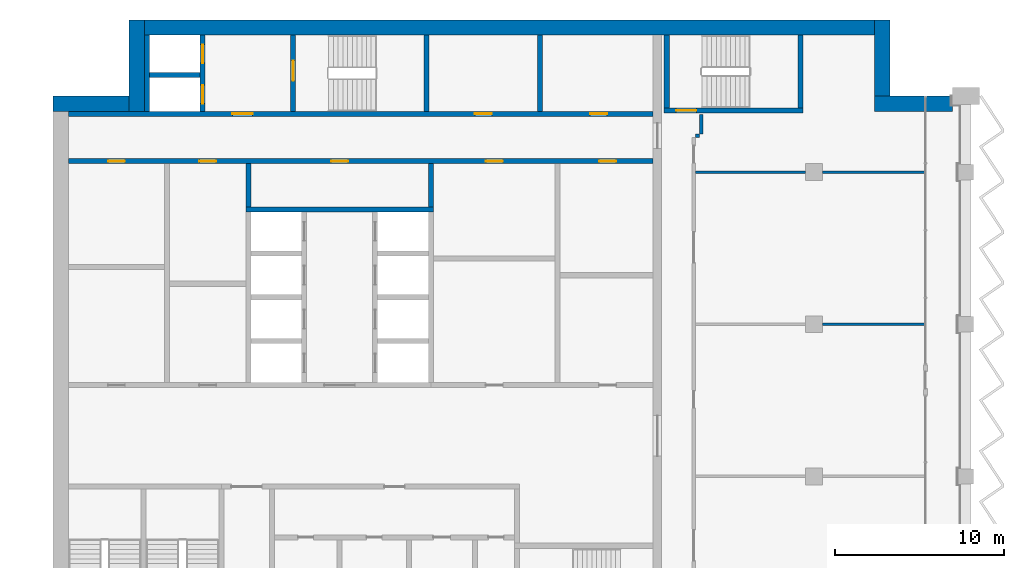
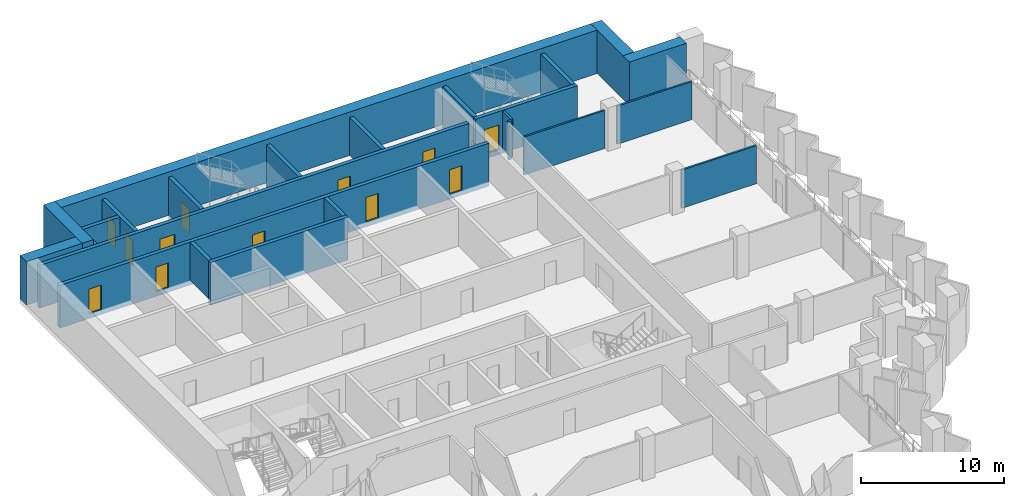
# One storey, part 11 of 17: 24 walls, 12 doors, 12 openings.
"""IFC4 building model written with IfcOpenShell, lengths in metres."""

import ifcopenshell
import ifcopenshell.guid

model = None  # the IFC model being written
_history = None  # IfcOwnerHistory: only IFC2X3 demands one
_inside = {}  # id of a spatial element -> (the spatial element, [elements in it])
_under = {}  # id of a project, library or spatial element -> (it, [spatial elements below it])
_declared = {}  # id of a project -> (the project, [libraries it declares])
_typed = {}  # id of a type object -> (the type object, [elements of that type])
_made_of = {}  # id of a material, layer set ... -> (it, [elements and type objects made of it])


def new_model(schema):
    """Start an empty IFC model of exactly this schema.

    Asked for "IFC4X3", IfcOpenShell would pick the latest addendum, in which some entities
    have other attributes; the version numbers below select the first issue.
    IFC2X3 requires an IfcOwnerHistory on every rooted entity: one is made here for all.
    """
    global model, _history
    if schema == "IFC4X3":
        model = ifcopenshell.file(schema_version=(4, 3, 0, 0))
    else:
        model = ifcopenshell.file(schema=schema)
    _inside.clear()
    _under.clear()
    _declared.clear()
    _typed.clear()
    _made_of.clear()
    _history = None
    if model.schema == "IFC2X3":
        org = make("IfcOrganization", Name="unknown")
        user = make(
            "IfcPersonAndOrganization",
            ThePerson=make("IfcPerson", FamilyName="unknown"),
            TheOrganization=org,
        )
        app = make(
            "IfcApplication",
            ApplicationDeveloper=org,
            Version="unknown",
            ApplicationFullName="unknown",
            ApplicationIdentifier="unknown",
        )
        _history = make(
            "IfcOwnerHistory",
            OwningUser=user,
            OwningApplication=app,
            ChangeAction="ADDED",
            CreationDate=0,
        )
    return model


def make(cls, **values):
    """One entity of the class cls with the attributes given. An attribute that is None is left unset."""
    return model.create_entity(
        cls, **{name: value for name, value in values.items() if value is not None}
    )


def rooted(cls, **values):
    """An entity with a GlobalId (a new one), such as an element, a storey or a relation."""
    return make(cls, GlobalId=ifcopenshell.guid.new(), OwnerHistory=_history, **values)


def si_unit(unit_type, name, prefix=None):
    """IfcSIUnit, for example si_unit("LENGTHUNIT", "METRE", prefix="MILLI")."""
    return make("IfcSIUnit", UnitType=unit_type, Prefix=prefix, Name=name)


def assignment(units):
    """IfcUnitAssignment: the units of a project."""
    return None if units is None else make("IfcUnitAssignment", Units=units)


def point(xyz):
    """IfcCartesianPoint."""
    return None if xyz is None else make("IfcCartesianPoint", Coordinates=xyz)


def direction(xyz):
    """IfcDirection."""
    return None if xyz is None else make("IfcDirection", DirectionRatios=xyz)


def frame(location, z_axis=None, x_axis=None):
    """IfcAxis2Placement3D, a coordinate frame: its origin and axes. An axis left out is left unset."""
    return make(
        "IfcAxis2Placement3D",
        Location=point(location),
        Axis=direction(z_axis),
        RefDirection=direction(x_axis),
    )


def frame_2d(location, x_axis=None):
    """IfcAxis2Placement2D, a coordinate frame in the plane: its origin and x axis."""
    return make(
        "IfcAxis2Placement2D", Location=point(location), RefDirection=direction(x_axis)
    )


def origin():
    """The frame at (0, 0, 0) with its axes left unset."""
    return frame((0.0, 0.0, 0.0))


def place(relative_to, where):
    """IfcLocalPlacement: puts the frame where relative to a parent placement (None: the world)."""
    return make(
        "IfcLocalPlacement", PlacementRelTo=relative_to, RelativePlacement=where
    )


def context(
    kind, dimensions, precision=None, world=None, true_north=None, identifier=None
):
    """IfcGeometricRepresentationContext, for example the 3D "Model" context."""
    return make(
        "IfcGeometricRepresentationContext",
        ContextIdentifier=identifier,
        ContextType=kind,
        CoordinateSpaceDimension=dimensions,
        Precision=precision,
        WorldCoordinateSystem=world,
        TrueNorth=true_north,
    )


def subcontext(parent, identifier, kind, view, scale=None):
    """IfcGeometricRepresentationSubContext, for example "Body" below "Model"."""
    return make(
        "IfcGeometricRepresentationSubContext",
        ContextIdentifier=identifier,
        ContextType=kind,
        ParentContext=parent,
        TargetScale=scale,
        TargetView=view,
    )


def project(units=None, contexts=None):
    """IfcProject with its units and contexts."""
    return rooted(
        "IfcProject",
        Name="project",
        RepresentationContexts=contexts,
        UnitsInContext=assignment(units),
    )


def spatial(cls, under=None, at=None, **own):
    """A site, building, storey or space (cls), placed at a placement, below another one or the project."""
    s = rooted(cls, ObjectPlacement=at, **own)
    if under is not None:
        _under.setdefault(under.id(), (under, []))[1].append(s)
    return s


def profile(cls, at=None, kind="AREA", **sizes):
    """A parametric profile (cls). Its sizes go by their IFC names, for example OverallWidth=200.0."""
    return make(cls, ProfileType=kind, Position=at, **sizes)


def rectangle(**sizes):
    """IfcRectangleProfileDef."""
    return profile("IfcRectangleProfileDef", **sizes)


def extrude(swept, where, along, depth):
    """IfcExtrudedAreaSolid: the profile swept, set in the frame where, extruded along a direction by depth."""
    return make(
        "IfcExtrudedAreaSolid",
        SweptArea=swept,
        Position=where,
        ExtrudedDirection=direction(along),
        Depth=depth,
    )


def shape(context_of_items, identifier, shape_type, items):
    """IfcShapeRepresentation: the items that make up one representation, for example the "Body"."""
    return make(
        "IfcShapeRepresentation",
        ContextOfItems=context_of_items,
        RepresentationIdentifier=identifier,
        RepresentationType=shape_type,
        Items=items,
    )


def material(Name=None, Category=None):
    """IfcMaterial."""
    return make("IfcMaterial", Name=Name, Category=Category)


def layer(
    of_material, thickness, ventilated=None, Name=None, Category=None, Priority=None
):
    """IfcMaterialLayer: one layer of a wall or slab, of a material (None: an air gap)."""
    return make(
        "IfcMaterialLayer",
        Material=of_material,
        LayerThickness=thickness,
        IsVentilated=ventilated,
        Name=Name,
        Category=Category,
        Priority=Priority,
    )


def layer_set(layers, Name=None):
    """IfcMaterialLayerSet."""
    return make("IfcMaterialLayerSet", MaterialLayers=layers, LayerSetName=Name)


def made_of(thing, what):
    """Note that an element or type object is made of a material, layer set ...; save() writes the relation."""
    if what is not None:
        _made_of.setdefault(what.id(), (what, []))[1].append(thing)
    return thing


def type_object(cls, material=None, **own):
    """A type object (cls), such as IfcWallType, which elements share."""
    return made_of(rooted(cls, **own), material)


def element(
    cls,
    number,
    at=None,
    inside=None,
    cuts=None,
    type_object=None,
    material=None,
    context=None,
    identifier="Body",
    shape_type=None,
    held_by="IfcProductDefinitionShape",
    body=None,
    shapes=None,
    **own,
):
    """One element of the class cls, such as IfcWall. Its Tag is "e" and its number.

    at: its placement. inside: the storey or other place that contains it. cuts: it is an
    opening in that element (IfcRelVoidsElement). A single representation is given by context,
    identifier, shape_type and body (its items); several are given by shapes. held_by: the class
    of the entity that holds the representations. save() writes the other relations.
    """
    e = rooted(cls, Tag="e%d" % number, ObjectPlacement=at, **own)
    if body is not None:
        shapes = [shape(context, identifier, shape_type, body)]
    if shapes is not None:
        e.Representation = make(held_by, Representations=shapes)
    if inside is not None:
        _inside.setdefault(inside.id(), (inside, []))[1].append(e)
    if cuts is not None:
        rooted(
            "IfcRelVoidsElement", RelatingBuildingElement=cuts, RelatedOpeningElement=e
        )
    if type_object is not None:
        _typed.setdefault(type_object.id(), (type_object, []))[1].append(e)
    return made_of(e, material)


def fill(opening, filler):
    """IfcRelFillsElement: the door or window that sits in an opening."""
    return rooted(
        "IfcRelFillsElement",
        RelatingOpeningElement=opening,
        RelatedBuildingElement=filler,
    )


def aggregate(whole, parts):
    """IfcRelAggregates: a whole, such as a stair, and the parts it consists of."""
    return rooted("IfcRelAggregates", RelatingObject=whole, RelatedObjects=parts)


def save(model, path):
    """Write the relations noted so far, then the file.

    IfcRelAggregates (storeys below a building ...), IfcRelContainedInSpatialStructure (elements
    in a storey), IfcRelDefinesByType, IfcRelAssociatesMaterial and IfcRelDeclares: one each for
    every whole, place, type object, material and project.
    """
    for whole, parts in _under.values():
        aggregate(whole, parts)
    for where, things in _inside.values():
        rooted(
            "IfcRelContainedInSpatialStructure",
            RelatedElements=things,
            RelatingStructure=where,
        )
    for kind, things in _typed.values():
        rooted("IfcRelDefinesByType", RelatedObjects=things, RelatingType=kind)
    for what, things in _made_of.values():
        rooted("IfcRelAssociatesMaterial", RelatedObjects=things, RelatingMaterial=what)
    for by, libraries in _declared.values():
        rooted("IfcRelDeclares", RelatingContext=by, RelatedDefinitions=libraries)
    model.write(path)


model = new_model("IFC4")

# Units and contexts
model_context = context("Model", 3, precision=1e-05, world=origin(), true_north=direction((0.0, 1.0)))
body_context = subcontext(model_context, "Body", "Model", "MODEL_VIEW")
ifc_project = project(units=[si_unit("LENGTHUNIT", "METRE"), si_unit("AREAUNIT", "SQUARE_METRE"), si_unit("VOLUMEUNIT", "CUBIC_METRE"), si_unit("PLANEANGLEUNIT", "RADIAN"), si_unit("MASSUNIT", "GRAM", prefix="KILO")], contexts=[model_context])

# Site, building, storey
site_placement = place(None, origin())
site = spatial("IfcSite", under=ifc_project, at=site_placement, CompositionType="ELEMENT")
building_placement = place(site_placement, origin())
building = spatial("IfcBuilding", under=site, at=building_placement, Name="Hunhe Ridgeline Campus", CompositionType="ELEMENT")
storey_placement = place(building_placement, frame((0.0, 0.0, 272.5)))
storey = spatial("IfcBuildingStorey", under=building, at=storey_placement, Name="L70", CompositionType="ELEMENT", Elevation=272.5)

# Walls
ifc_material_1 = material(Name="Masonry concrete blockwork", Category="masonry")
ifc_layer_1 = layer(ifc_material_1, 0.300048828125)
ifc_layer_set_1 = layer_set([ifc_layer_1], Name="Core room partition 300 concrete block")
wall_type_1 = type_object("IfcWallType", Name="Core room partition 300 concrete block", PredefinedType="PARTITIONING", material=ifc_layer_set_1)
for number, where, z_axis, x_axis, name in (
    (1, (11.550048828125, 87.949951171875, 0.0), (0.0, 0.0, 1.0), (0.0, 1.0, 0.0), "L70 core partition 34"),
    (2, (22.35009765625, 87.949951171875, 0.0), (0.0, 0.0, 1.0), (0.0, 1.0, 0.0), "L70 core partition 44"),
):
    element("IfcWall", number, at=place(storey_placement, frame(where, z_axis=z_axis, x_axis=x_axis)), inside=storey, type_object=wall_type_1, Name=name, PredefinedType="PARTITIONING", context=body_context, shape_type="SweptSolid", body=[
        extrude(rectangle(XDim=2.550048828125, YDim=0.300048828125, at=frame_2d((1.27490234375, 0.0))), origin(), (0.0, 0.0, 1.0), 3.25),
    ])
wall_1_placement = place(storey_placement, frame((28.800048828125, 93.60009765625, 0.0), z_axis=(0.0, 0.0, 1.0), x_axis=(0.0, 1.0, 0.0)))
element("IfcWall", 3, at=wall_1_placement, inside=storey, type_object=wall_type_1, Name="L70 core partition 49", PredefinedType="PARTITIONING", context=body_context, shape_type="SweptSolid", body=[
    extrude(rectangle(XDim=4.5, YDim=0.300048828125, at=frame_2d((2.25, 0.0))), origin(), (0.0, 0.0, 1.0), 3.25),
])
ifc_material_2 = material(Name="Gypsum board partition")
ifc_layer_2 = layer(ifc_material_2, 0.199951171875)
ifc_layer_set_2 = layer_set([ifc_layer_2], Name="Corridor partition 200 gypsum board on steel studs")
wall_type_2 = type_object("IfcWallType", Name="Corridor partition 200 gypsum board on steel studs", PredefinedType="PARTITIONING", material=ifc_layer_set_2)
wall_2_placement = place(storey_placement, frame((38.25, 92.14990234375, 0.0), z_axis=(0.0, 0.0, 1.0), x_axis=(-1.0, 0.0, 0.0)))
element("IfcWall", 4, at=wall_2_placement, inside=storey, type_object=wall_type_2, Name="F-L70-wall-036", PredefinedType="PARTITIONING", context=body_context, shape_type="SweptSolid", body=[
    extrude(rectangle(XDim=0.25, YDim=0.199951171875, at=frame_2d((0.125, 0.0))), origin(), (0.0, 0.0, 1.0), 3.25),
])
wall_3_placement = place(storey_placement, frame((38.35009765625, 93.39599609375, 0.0), z_axis=(0.0, 0.0, 1.0), x_axis=(0.0, -1.0, 0.0)))
element("IfcWall", 5, at=wall_3_placement, inside=storey, type_object=wall_type_2, Name="F-L70-wall-047", PredefinedType="PARTITIONING", context=body_context, shape_type="SweptSolid", body=[
    extrude(rectangle(XDim=1.14599609375, YDim=0.199951171875, at=frame_2d((0.572998046875, 0.0))), origin(), (0.0, 0.0, 1.0), 3.25),
])

# Wall, openings, doors
ifc_material_3 = material(Name="Concrete C50", Category="concrete")
ifc_layer_3 = layer(ifc_material_3, 0.300048828125)
ifc_layer_set_3 = layer_set([ifc_layer_3], Name="Lobby wall 300 reinforced concrete C50")
wall_type_3 = type_object("IfcWallType", Name="Lobby wall 300 reinforced concrete C50", PredefinedType="SOLIDWALL", material=ifc_layer_set_3)
wall_4_placement = place(storey_placement, frame((0.89990234375, 90.64990234375, -0.39990234375), z_axis=(0.0, 0.0, 1.0), x_axis=(1.0, 0.0, 0.0)))
wall_4 = element("IfcWall", 6, at=wall_4_placement, inside=storey, type_object=wall_type_3, Name="L70 core wall 23", PredefinedType="SOLIDWALL", context=body_context, shape_type="SweptSolid", body=[
    extrude(rectangle(XDim=34.60009765625, YDim=0.300048828125, at=frame_2d((17.300048828125, 0.0))), origin(), (0.0, 0.0, 1.0), 3.64990234375),
])
opening_1_placement = place(wall_4_placement, frame((15.550048828125, 0.0, 0.39990234375)))
opening_1 = element("IfcOpeningElement", 7, at=opening_1_placement, cuts=wall_4, Name="Opening CD26", PredefinedType="OPENING", context=body_context, shape_type="SweptSolid", body=[
    extrude(rectangle(XDim=1.0, YDim=2.10009765625, at=frame_2d((0.5, 1.050048828125))), frame((0.0, 0.14990234375, 0.0), z_axis=(0.0, -1.0, 0.0), x_axis=(1.0, 0.0, 0.0)), (0.0, 0.0, 1.0), 0.300048828125),
])
opening_2_placement = place(wall_4_placement, frame((2.35009765625, 0.0, 0.39990234375)))
opening_2 = element("IfcOpeningElement", 8, at=opening_2_placement, cuts=wall_4, Name="Opening CD40", PredefinedType="OPENING", context=body_context, shape_type="SweptSolid", body=[
    extrude(rectangle(XDim=1.0, YDim=2.10009765625, at=frame_2d((0.5, 1.050048828125))), frame((0.0, 0.14990234375, 0.0), z_axis=(0.0, -1.0, 0.0), x_axis=(1.0, 0.0, 0.0)), (0.0, 0.0, 1.0), 0.300048828125),
])
opening_3_placement = place(wall_4_placement, frame((7.75, 0.0, 0.39990234375)))
opening_3 = element("IfcOpeningElement", 9, at=opening_3_placement, cuts=wall_4, Name="Opening CD43", PredefinedType="OPENING", context=body_context, shape_type="SweptSolid", body=[
    extrude(rectangle(XDim=1.0, YDim=2.10009765625, at=frame_2d((0.5, 1.050048828125))), frame((0.0, 0.14990234375, 0.0), z_axis=(0.0, -1.0, 0.0), x_axis=(1.0, 0.0, 0.0)), (0.0, 0.0, 1.0), 0.300048828125),
])
opening_4_placement = place(wall_4_placement, frame((24.699951171875, 0.0, 0.39990234375)))
opening_4 = element("IfcOpeningElement", 10, at=opening_4_placement, cuts=wall_4, Name="Opening CD33", PredefinedType="OPENING", context=body_context, shape_type="SweptSolid", body=[
    extrude(rectangle(XDim=1.0, YDim=2.10009765625, at=frame_2d((0.5, 1.050048828125))), frame((0.0, 0.14990234375, 0.0), z_axis=(0.0, -1.0, 0.0), x_axis=(1.0, 0.0, 0.0)), (0.0, 0.0, 1.0), 0.300048828125),
])
opening_5_placement = place(wall_4_placement, frame((31.39990234375, 0.0, 0.39990234375)))
opening_5 = element("IfcOpeningElement", 11, at=opening_5_placement, cuts=wall_4, Name="Opening CD44", PredefinedType="OPENING", context=body_context, shape_type="SweptSolid", body=[
    extrude(rectangle(XDim=1.0, YDim=2.10009765625, at=frame_2d((0.5, 1.050048828125))), frame((0.0, 0.14990234375, 0.0), z_axis=(0.0, -1.0, 0.0), x_axis=(1.0, 0.0, 0.0)), (0.0, 0.0, 1.0), 0.300048828125),
])
ifc_material_4 = material(Name="Solid core timber door leaf", Category="wood")
door_type_1 = type_object("IfcDoorType", Name="Timber door 1000x2100", OperationType="SINGLE_SWING_LEFT", PredefinedType="DOOR", material=ifc_material_4)
door_1_placement = place(opening_1_placement, frame((1.0, 0.0, 0.0), z_axis=(0.0, 0.0, 1.0), x_axis=(-1.0, 0.0, 0.0)))
door_1 = element("IfcDoor", 12, at=door_1_placement, inside=storey, type_object=door_type_1, Name="L70 door NR-0", OperationType="SINGLE_SWING_RIGHT", OverallHeight=2.10009765625, OverallWidth=1.0, PredefinedType="DOOR", context=body_context, shape_type="SweptSolid", body=[
    extrude(rectangle(XDim=1.0, YDim=2.10009765625, at=frame_2d((0.5, 1.050048828125))), frame((0.0, 0.02490234375, 0.0), z_axis=(0.0, -1.0, 0.0), x_axis=(1.0, 0.0, 0.0)), (0.0, 0.0, 1.0), 0.050048828125),
])
fill(opening_1, door_1)
door_2_placement = place(opening_2_placement, frame((1.0, 0.0, 0.0), z_axis=(0.0, 0.0, 1.0), x_axis=(-1.0, 0.0, 0.0)))
door_2 = element("IfcDoor", 13, at=door_2_placement, inside=storey, type_object=door_type_1, Name="L70 door VD-LR1", OperationType="SINGLE_SWING_RIGHT", OverallHeight=2.10009765625, OverallWidth=1.0, PredefinedType="DOOR", context=body_context, shape_type="SweptSolid", body=[
    extrude(rectangle(XDim=1.0, YDim=2.10009765625, at=frame_2d((0.5, 1.050048828125))), frame((0.0, 0.02490234375, 0.0), z_axis=(0.0, -1.0, 0.0), x_axis=(1.0, 0.0, 0.0)), (0.0, 0.0, 1.0), 0.050048828125),
])
fill(opening_2, door_2)
door_3_placement = place(opening_3_placement, frame((1.0, 0.0, 0.0), z_axis=(0.0, 0.0, 1.0), x_axis=(-1.0, 0.0, 0.0)))
door_3 = element("IfcDoor", 14, at=door_3_placement, inside=storey, type_object=door_type_1, Name="L70 door VD-LR3", OperationType="SINGLE_SWING_RIGHT", OverallHeight=2.10009765625, OverallWidth=1.0, PredefinedType="DOOR", context=body_context, shape_type="SweptSolid", body=[
    extrude(rectangle(XDim=1.0, YDim=2.10009765625, at=frame_2d((0.5, 1.050048828125))), frame((0.0, 0.02490234375, 0.0), z_axis=(0.0, -1.0, 0.0), x_axis=(1.0, 0.0, 0.0)), (0.0, 0.0, 1.0), 0.050048828125),
])
fill(opening_3, door_3)
door_4_placement = place(opening_4_placement, frame((1.0, 0.0, 0.0), z_axis=(0.0, 0.0, 1.0), x_axis=(-1.0, 0.0, 0.0)))
door_4 = element("IfcDoor", 15, at=door_4_placement, inside=storey, type_object=door_type_1, Name="L70 door ES1", OperationType="SINGLE_SWING_LEFT", OverallHeight=2.10009765625, OverallWidth=1.0, PredefinedType="DOOR", context=body_context, shape_type="SweptSolid", body=[
    extrude(rectangle(XDim=1.0, YDim=2.10009765625, at=frame_2d((0.5, 1.050048828125))), frame((0.0, 0.02490234375, 0.0), z_axis=(0.0, -1.0, 0.0), x_axis=(1.0, 0.0, 0.0)), (0.0, 0.0, 1.0), 0.050048828125),
])
fill(opening_4, door_4)
door_5_placement = place(opening_5_placement, frame((1.0, 0.0, 0.0), z_axis=(0.0, 0.0, 1.0), x_axis=(-1.0, 0.0, 0.0)))
door_5 = element("IfcDoor", 16, at=door_5_placement, inside=storey, type_object=door_type_1, Name="L70 door ES3", OperationType="SINGLE_SWING_LEFT", OverallHeight=2.10009765625, OverallWidth=1.0, PredefinedType="DOOR", context=body_context, shape_type="SweptSolid", body=[
    extrude(rectangle(XDim=1.0, YDim=2.10009765625, at=frame_2d((0.5, 1.050048828125))), frame((0.0, 0.02490234375, 0.0), z_axis=(0.0, -1.0, 0.0), x_axis=(1.0, 0.0, 0.0)), (0.0, 0.0, 1.0), 0.050048828125),
])
fill(opening_5, door_5)

# Walls
ifc_layer_4 = layer(ifc_material_2, 0.14990234375)
ifc_layer_set_4 = layer_set([ifc_layer_4], Name="Room partition 150 gypsum board on steel studs")
wall_type_4 = type_object("IfcWallType", Name="Room partition 150 gypsum board on steel studs", PredefinedType="PARTITIONING", material=ifc_layer_set_4)
wall_5_placement = place(storey_placement, frame((45.5, 81.0, 0.0), z_axis=(0.0, 0.0, 1.0), x_axis=(1.0, 0.0, 0.0)))
element("IfcWall", 17, at=wall_5_placement, inside=storey, type_object=wall_type_4, Name="F-L70-wall-033", PredefinedType="PARTITIONING", context=body_context, shape_type="SweptSolid", body=[
    extrude(rectangle(XDim=6.044921875, YDim=0.14990234375, at=frame_2d((3.0224609375, 0.0))), origin(), (0.0, 0.0, 1.0), 3.25),
])
wall_6_placement = place(storey_placement, frame((38.0, 90.0, 0.0), z_axis=(0.0, 0.0, 1.0), x_axis=(1.0, 0.0, 0.0)))
element("IfcWall", 18, at=wall_6_placement, inside=storey, type_object=wall_type_4, Name="F-L70-wall-034", PredefinedType="PARTITIONING", context=body_context, shape_type="SweptSolid", body=[
    extrude(rectangle(XDim=6.5, YDim=0.14990234375, at=frame_2d((3.25, 0.0))), origin(), (0.0, 0.0, 1.0), 3.25),
])
wall_7_placement = place(storey_placement, frame((45.5, 90.0, 0.0), z_axis=(0.0, 0.0, 1.0), x_axis=(1.0, 0.0, 0.0)))
element("IfcWall", 19, at=wall_7_placement, inside=storey, type_object=wall_type_4, Name="F-L70-wall-035", PredefinedType="PARTITIONING", context=body_context, shape_type="SweptSolid", body=[
    extrude(rectangle(XDim=6.044921875, YDim=0.14990234375, at=frame_2d((3.0224609375, 0.0))), origin(), (0.0, 0.0, 1.0), 3.25),
])
ifc_layer_5 = layer(ifc_material_3, 0.300048828125)
ifc_layer_set_5 = layer_set([ifc_layer_5], Name="Shaft wall 300 reinforced concrete C50")
wall_type_5 = type_object("IfcWallType", Name="Shaft wall 300 reinforced concrete C50", PredefinedType="SOLIDWALL", material=ifc_layer_set_5)
wall_8_placement = place(storey_placement, frame((11.39990234375, 87.800048828125, -0.39990234375), z_axis=(0.0, 0.0, 1.0), x_axis=(1.0, 0.0, 0.0)))
element("IfcWall", 20, at=wall_8_placement, inside=storey, type_object=wall_type_5, Name="L70 core wall 22", PredefinedType="SOLIDWALL", context=body_context, shape_type="SweptSolid", body=[
    extrude(rectangle(XDim=11.10009765625, YDim=0.300048828125, at=frame_2d((5.550048828125, 0.0))), origin(), (0.0, 0.0, 1.0), 3.64990234375),
])

# Wall, openings, doors
wall_9_placement = place(storey_placement, frame((0.89990234375, 93.449951171875, -0.39990234375), z_axis=(0.0, 0.0, 1.0), x_axis=(1.0, 0.0, 0.0)))
wall_9 = element("IfcWall", 21, at=wall_9_placement, inside=storey, type_object=wall_type_5, Name="L70 core wall 24", PredefinedType="SOLIDWALL", context=body_context, shape_type="SweptSolid", body=[
    extrude(rectangle(XDim=34.60009765625, YDim=0.300048828125, at=frame_2d((17.300048828125, 0.0))), origin(), (0.0, 0.0, 1.0), 3.64990234375),
])
opening_6_placement = place(wall_9_placement, frame((9.699951171875, 0.0, 0.39990234375)))
opening_6 = element("IfcOpeningElement", 22, at=opening_6_placement, cuts=wall_9, Name="Opening CD3", PredefinedType="OPENING", context=body_context, shape_type="SweptSolid", body=[
    extrude(rectangle(XDim=1.199951171875, YDim=2.10009765625, at=frame_2d((0.60009765625, 1.050048828125))), frame((0.0, 0.14990234375, 0.0), z_axis=(0.0, -1.0, 0.0), x_axis=(1.0, 0.0, 0.0)), (0.0, 0.0, 1.0), 0.300048828125),
])
opening_7_placement = place(wall_9_placement, frame((24.050048828125, 0.0, 0.39990234375)))
opening_7 = element("IfcOpeningElement", 23, at=opening_7_placement, cuts=wall_9, Name="Opening CD34", PredefinedType="OPENING", context=body_context, shape_type="SweptSolid", body=[
    extrude(rectangle(XDim=1.0, YDim=2.10009765625, at=frame_2d((0.5, 1.050048828125))), frame((0.0, 0.14990234375, 0.0), z_axis=(0.0, -1.0, 0.0), x_axis=(1.0, 0.0, 0.0)), (0.0, 0.0, 1.0), 0.300048828125),
])
opening_8_placement = place(wall_9_placement, frame((30.875, 0.0, 0.39990234375)))
opening_8 = element("IfcOpeningElement", 24, at=opening_8_placement, cuts=wall_9, Name="Opening CD35", PredefinedType="OPENING", context=body_context, shape_type="SweptSolid", body=[
    extrude(rectangle(XDim=1.0, YDim=2.10009765625, at=frame_2d((0.5, 1.050048828125))), frame((0.0, 0.14990234375, 0.0), z_axis=(0.0, -1.0, 0.0), x_axis=(1.0, 0.0, 0.0)), (0.0, 0.0, 1.0), 0.300048828125),
])
ifc_material_5 = material(Name="Hollow metal fire door leaf")
door_type_2 = type_object("IfcDoorType", Name="Lobby door 1200x2100 FD60", OperationType="SINGLE_SWING_LEFT", PredefinedType="DOOR", material=ifc_material_5)
door_6_placement = place(opening_6_placement, frame((1.199951171875, 0.0, 0.0), z_axis=(0.0, 0.0, 1.0), x_axis=(-1.0, 0.0, 0.0)))
door_6 = element("IfcDoor", 25, at=door_6_placement, inside=storey, type_object=door_type_2, Name="L70 door FF-C1", OperationType="SINGLE_SWING_RIGHT", OverallHeight=2.10009765625, OverallWidth=1.199951171875, PredefinedType="DOOR", context=body_context, shape_type="SweptSolid", body=[
    extrude(rectangle(XDim=1.199951171875, YDim=2.10009765625, at=frame_2d((0.60009765625, 1.050048828125))), frame((0.0, 0.02490234375, 0.0), z_axis=(0.0, -1.0, 0.0), x_axis=(1.0, 0.0, 0.0)), (0.0, 0.0, 1.0), 0.050048828125),
])
fill(opening_6, door_6)
door_7_placement = place(opening_7_placement, origin())
door_7 = element("IfcDoor", 26, at=door_7_placement, inside=storey, type_object=door_type_1, Name="L70 door NB0", OperationType="SINGLE_SWING_LEFT", OverallHeight=2.10009765625, OverallWidth=1.0, PredefinedType="DOOR", context=body_context, shape_type="SweptSolid", body=[
    extrude(rectangle(XDim=1.0, YDim=2.10009765625, at=frame_2d((0.5, 1.050048828125))), frame((0.0, 0.02490234375, 0.0), z_axis=(0.0, -1.0, 0.0), x_axis=(1.0, 0.0, 0.0)), (0.0, 0.0, 1.0), 0.050048828125),
])
fill(opening_7, door_7)
door_8_placement = place(opening_8_placement, origin())
door_8 = element("IfcDoor", 27, at=door_8_placement, inside=storey, type_object=door_type_1, Name="L70 door NB1", OperationType="SINGLE_SWING_RIGHT", OverallHeight=2.10009765625, OverallWidth=1.0, PredefinedType="DOOR", context=body_context, shape_type="SweptSolid", body=[
    extrude(rectangle(XDim=1.0, YDim=2.10009765625, at=frame_2d((0.5, 1.050048828125))), frame((0.0, 0.02490234375, 0.0), z_axis=(0.0, -1.0, 0.0), x_axis=(1.0, 0.0, 0.0)), (0.0, 0.0, 1.0), 0.050048828125),
])
fill(opening_8, door_8)

# Walls
wall_10_placement = place(storey_placement, frame((5.699951171875, 95.75, -0.39990234375), z_axis=(0.0, 0.0, 1.0), x_axis=(1.0, 0.0, 0.0)))
element("IfcWall", 28, at=wall_10_placement, inside=storey, type_object=wall_type_5, Name="L70 core wall 26", PredefinedType="SOLIDWALL", context=body_context, shape_type="SweptSolid", body=[
    extrude(rectangle(XDim=3.0, YDim=0.300048828125, at=frame_2d((1.5, 0.0))), origin(), (0.0, 0.0, 1.0), 3.64990234375),
])
wall_11_placement = place(storey_placement, frame((5.550048828125, 93.60009765625, -0.39990234375), z_axis=(0.0, 0.0, 1.0), x_axis=(0.0, 1.0, 0.0)))
element("IfcWall", 29, at=wall_11_placement, inside=storey, type_object=wall_type_5, Name="L70 core wall 28", PredefinedType="SOLIDWALL", context=body_context, shape_type="SweptSolid", body=[
    extrude(rectangle(XDim=4.5, YDim=0.300048828125, at=frame_2d((2.25, 0.0))), origin(), (0.0, 0.0, 1.0), 3.64990234375),
])

# Wall, openings, doors
wall_12_placement = place(storey_placement, frame((8.85009765625, 93.60009765625, -0.39990234375), z_axis=(0.0, 0.0, 1.0), x_axis=(0.0, 1.0, 0.0)))
wall_12 = element("IfcWall", 30, at=wall_12_placement, inside=storey, type_object=wall_type_5, Name="L70 core wall 31", PredefinedType="SOLIDWALL", context=body_context, shape_type="SweptSolid", body=[
    extrude(rectangle(XDim=4.5, YDim=0.300048828125, at=frame_2d((2.25, 0.0))), origin(), (0.0, 0.0, 1.0), 3.64990234375),
])
opening_9_placement = place(wall_12_placement, frame((0.449951171875, 0.0, 0.39990234375)))
opening_9 = element("IfcOpeningElement", 31, at=opening_9_placement, cuts=wall_12, Name="Opening LD-FF1", PredefinedType="OPENING", context=body_context, shape_type="SweptSolid", body=[
    extrude(rectangle(XDim=1.10009765625, YDim=2.10009765625, at=frame_2d((0.550048828125, 1.050048828125))), frame((0.0, 0.14990234375, 0.0), z_axis=(0.0, -1.0, 0.0), x_axis=(1.0, 0.0, 0.0)), (0.0, 0.0, 1.0), 0.300048828125),
])
opening_10_placement = place(wall_12_placement, frame((2.85009765625, 0.0, 0.39990234375)))
opening_10 = element("IfcOpeningElement", 32, at=opening_10_placement, cuts=wall_12, Name="Opening LD-FF2", PredefinedType="OPENING", context=body_context, shape_type="SweptSolid", body=[
    extrude(rectangle(XDim=1.10009765625, YDim=2.10009765625, at=frame_2d((0.550048828125, 1.050048828125))), frame((0.0, 0.14990234375, 0.0), z_axis=(0.0, -1.0, 0.0), x_axis=(1.0, 0.0, 0.0)), (0.0, 0.0, 1.0), 0.300048828125),
])
ifc_material_6 = material(Name="Stainless steel sliding leaves", Category="steel")
door_type_3 = type_object("IfcDoorType", Name="Landing door 1100x2100 FD120", OperationType="SLIDING_TO_LEFT", PredefinedType="DOOR", material=ifc_material_6)
door_9_placement = place(opening_9_placement, origin())
door_9 = element("IfcDoor", 33, at=door_9_placement, inside=storey, type_object=door_type_3, Name="L70 landing door FF1", OperationType="SLIDING_TO_RIGHT", OverallHeight=2.10009765625, OverallWidth=1.10009765625, PredefinedType="DOOR", context=body_context, shape_type="SweptSolid", body=[
    extrude(rectangle(XDim=1.10009765625, YDim=2.10009765625, at=frame_2d((0.550048828125, 1.050048828125))), frame((0.0, 0.02490234375, 0.0), z_axis=(0.0, -1.0, 0.0), x_axis=(1.0, 0.0, 0.0)), (0.0, 0.0, 1.0), 0.050048828125),
])
fill(opening_9, door_9)
door_10_placement = place(opening_10_placement, origin())
door_10 = element("IfcDoor", 34, at=door_10_placement, inside=storey, type_object=door_type_3, Name="L70 landing door FF2", OperationType="SLIDING_TO_LEFT", OverallHeight=2.10009765625, OverallWidth=1.10009765625, PredefinedType="DOOR", context=body_context, shape_type="SweptSolid", body=[
    extrude(rectangle(XDim=1.10009765625, YDim=2.10009765625, at=frame_2d((0.550048828125, 1.050048828125))), frame((0.0, 0.02490234375, 0.0), z_axis=(0.0, -1.0, 0.0), x_axis=(1.0, 0.0, 0.0)), (0.0, 0.0, 1.0), 0.050048828125),
])
fill(opening_10, door_10)

# Walls
ifc_material_7 = material(Name="Concrete C60", Category="concrete")
ifc_layer_6 = layer(ifc_material_7, 0.89990234375)
ifc_layer_set_6 = layer_set([ifc_layer_6], Name="Spine wall 900 Concrete C60")
wall_type_6 = type_object("IfcWallType", Name="Spine wall 900 Concrete C60", PredefinedType="SHEAR", material=ifc_layer_set_6)
wall_13_placement = place(storey_placement, frame((53.199951171875, 94.050048828125, 0.0), z_axis=(0.0, 0.0, 1.0), x_axis=(-1.0, 0.0, 0.0)))
element("IfcWall", 35, at=wall_13_placement, inside=storey, type_object=wall_type_6, Name="Spine wall SW3-2 L70", PredefinedType="SHEAR", context=body_context, shape_type="SweptSolid", body=[
    extrude(rectangle(XDim=4.599853515625, YDim=0.89990234375, at=frame_2d((2.2998046875, 0.0))), origin(), (0.0, 0.0, 1.0), 3.699951171875),
])
wall_14_placement = place(storey_placement, frame((49.050048828125, 93.60009765625, 0.0), z_axis=(0.0, 0.0, 1.0), x_axis=(0.0, 1.0, 0.0)))
element("IfcWall", 36, at=wall_14_placement, inside=storey, type_object=wall_type_6, Name="Spine wall SW3-3 L70", PredefinedType="SHEAR", context=body_context, shape_type="SweptSolid", body=[
    extrude(rectangle(XDim=5.39990234375, YDim=0.89990234375, at=frame_2d((2.699951171875, 0.0))), origin(), (0.0, 0.0, 1.0), 3.699951171875),
])
wall_15_placement = place(storey_placement, frame((49.5, 98.550048828125, 0.0), z_axis=(0.0, 0.0, 1.0), x_axis=(-1.0, 0.0, 0.0)))
element("IfcWall", 37, at=wall_15_placement, inside=storey, type_object=wall_type_6, Name="Spine wall SW3-4 L70", PredefinedType="SHEAR", context=body_context, shape_type="SweptSolid", body=[
    extrude(rectangle(XDim=45.0, YDim=0.89990234375, at=frame_2d((22.5, 0.0))), origin(), (0.0, 0.0, 1.0), 3.699951171875),
])
for number, where, z_axis, x_axis, name in (
    (38, (4.949951171875, 99.0, 0.0), (0.0, 0.0, 1.0), (0.0, -1.0, 0.0), "Spine wall SW3-5 L70"),
    (39, (5.400146484375, 94.050048828125, 0.0), (0.0, 0.0, 1.0), (-1.0, 0.0, 0.0), "Spine wall SW3-6 L70"),
):
    element("IfcWall", number, at=place(storey_placement, frame(where, z_axis=z_axis, x_axis=x_axis)), inside=storey, type_object=wall_type_6, Name=name, PredefinedType="SHEAR", context=body_context, shape_type="SweptSolid", body=[
        extrude(rectangle(XDim=5.400146484375, YDim=0.89990234375, at=frame_2d((2.7001953125, 0.0))), origin(), (0.0, 0.0, 1.0), 3.699951171875),
    ])

# Wall, opening, door
ifc_layer_7 = layer(ifc_material_3, 0.300048828125)
ifc_layer_set_7 = layer_set([ifc_layer_7], Name="Stair wall 300 reinforced concrete C50")
wall_type_7 = type_object("IfcWallType", Name="Stair wall 300 reinforced concrete C50", PredefinedType="SOLIDWALL", material=ifc_layer_set_7)
wall_16_placement = place(storey_placement, frame((36.14990234375, 93.64990234375, -0.39990234375), z_axis=(0.0, 0.0, 1.0), x_axis=(1.0, 0.0, 0.0)))
wall_16 = element("IfcWall", 40, at=wall_16_placement, inside=storey, type_object=wall_type_7, Name="L70 core wall 25", PredefinedType="SOLIDWALL", context=body_context, shape_type="SweptSolid", body=[
    extrude(rectangle(XDim=8.2001953125, YDim=0.300048828125, at=frame_2d((4.10009765625, 0.0))), origin(), (0.0, 0.0, 1.0), 3.64990234375),
])
opening_11_placement = place(wall_16_placement, frame((0.699951171875, 0.0, 0.39990234375)))
opening_11 = element("IfcOpeningElement", 41, at=opening_11_placement, cuts=wall_16, Name="Opening CD17", PredefinedType="OPENING", context=body_context, shape_type="SweptSolid", body=[
    extrude(rectangle(XDim=1.199951171875, YDim=2.10009765625, at=frame_2d((0.60009765625, 1.050048828125))), frame((0.0, 0.14990234375, 0.0), z_axis=(0.0, -1.0, 0.0), x_axis=(1.0, 0.0, 0.0)), (0.0, 0.0, 1.0), 0.300048828125),
])
door_type_4 = type_object("IfcDoorType", Name="Stair door 1200x2100 FD60", OperationType="SINGLE_SWING_LEFT", PredefinedType="DOOR", material=ifc_material_5)
door_11_placement = place(opening_11_placement, frame((1.199951171875, 0.0, 0.0), z_axis=(0.0, 0.0, 1.0), x_axis=(-1.0, 0.0, 0.0)))
door_11 = element("IfcDoor", 42, at=door_11_placement, inside=storey, type_object=door_type_4, Name="L70 door E1", OperationType="SINGLE_SWING_LEFT", OverallHeight=2.10009765625, OverallWidth=1.199951171875, PredefinedType="DOOR", context=body_context, shape_type="SweptSolid", body=[
    extrude(rectangle(XDim=1.199951171875, YDim=2.10009765625, at=frame_2d((0.60009765625, 1.050048828125))), frame((0.0, 0.02490234375, 0.0), z_axis=(0.0, -1.0, 0.0), x_axis=(1.0, 0.0, 0.0)), (0.0, 0.0, 1.0), 0.050048828125),
])
fill(opening_11, door_11)

wall_17_placement = place(storey_placement, frame((14.199951171875, 93.60009765625, -0.39990234375), z_axis=(0.0, 0.0, 1.0), x_axis=(0.0, 1.0, 0.0)))
wall_17 = element("IfcWall", 43, at=wall_17_placement, inside=storey, type_object=wall_type_7, Name="L70 core wall 36", PredefinedType="SOLIDWALL", context=body_context, shape_type="SweptSolid", body=[
    extrude(rectangle(XDim=4.5, YDim=0.300048828125, at=frame_2d((2.25, 0.0))), origin(), (0.0, 0.0, 1.0), 3.64990234375),
])
opening_12_placement = place(wall_17_placement, frame((1.800048828125, 0.0, 0.39990234375)))
opening_12 = element("IfcOpeningElement", 44, at=opening_12_placement, cuts=wall_17, Name="Opening CD16", PredefinedType="OPENING", context=body_context, shape_type="SweptSolid", body=[
    extrude(rectangle(XDim=1.199951171875, YDim=2.10009765625, at=frame_2d((0.60009765625, 1.050048828125))), frame((0.0, 0.14990234375, 0.0), z_axis=(0.0, -1.0, 0.0), x_axis=(1.0, 0.0, 0.0)), (0.0, 0.0, 1.0), 0.300048828125),
])
door_12_placement = place(opening_12_placement, origin())
door_12 = element("IfcDoor", 45, at=door_12_placement, inside=storey, type_object=door_type_4, Name="L70 door S1-FF", OperationType="SINGLE_SWING_RIGHT", OverallHeight=2.10009765625, OverallWidth=1.199951171875, PredefinedType="DOOR", context=body_context, shape_type="SweptSolid", body=[
    extrude(rectangle(XDim=1.199951171875, YDim=2.10009765625, at=frame_2d((0.60009765625, 1.050048828125))), frame((0.0, 0.02490234375, 0.0), z_axis=(0.0, -1.0, 0.0), x_axis=(1.0, 0.0, 0.0)), (0.0, 0.0, 1.0), 0.050048828125),
])
fill(opening_12, door_12)

# Walls
wall_18_placement = place(storey_placement, frame((22.10009765625, 93.60009765625, -0.39990234375), z_axis=(0.0, 0.0, 1.0), x_axis=(0.0, 1.0, 0.0)))
element("IfcWall", 46, at=wall_18_placement, inside=storey, type_object=wall_type_7, Name="L70 core wall 42", PredefinedType="SOLIDWALL", context=body_context, shape_type="SweptSolid", body=[
    extrude(rectangle(XDim=4.5, YDim=0.300048828125, at=frame_2d((2.25, 0.0))), origin(), (0.0, 0.0, 1.0), 3.64990234375),
])
for number, where, z_axis, x_axis, name in (
    (47, (36.300048828125, 93.800048828125, -0.39990234375), (0.0, 0.0, 1.0), (0.0, 1.0, 0.0), "L70 core wall 52"),
    (48, (44.199951171875, 93.800048828125, -0.39990234375), (0.0, 0.0, 1.0), (0.0, 1.0, 0.0), "L70 core wall 53"),
):
    element("IfcWall", number, at=place(storey_placement, frame(where, z_axis=z_axis, x_axis=x_axis)), inside=storey, type_object=wall_type_7, Name=name, PredefinedType="SOLIDWALL", context=body_context, shape_type="SweptSolid", body=[
        extrude(rectangle(XDim=4.300048828125, YDim=0.300048828125, at=frame_2d((2.14990234375, 0.0))), origin(), (0.0, 0.0, 1.0), 3.64990234375),
    ])

save(model, "model.ifc")
